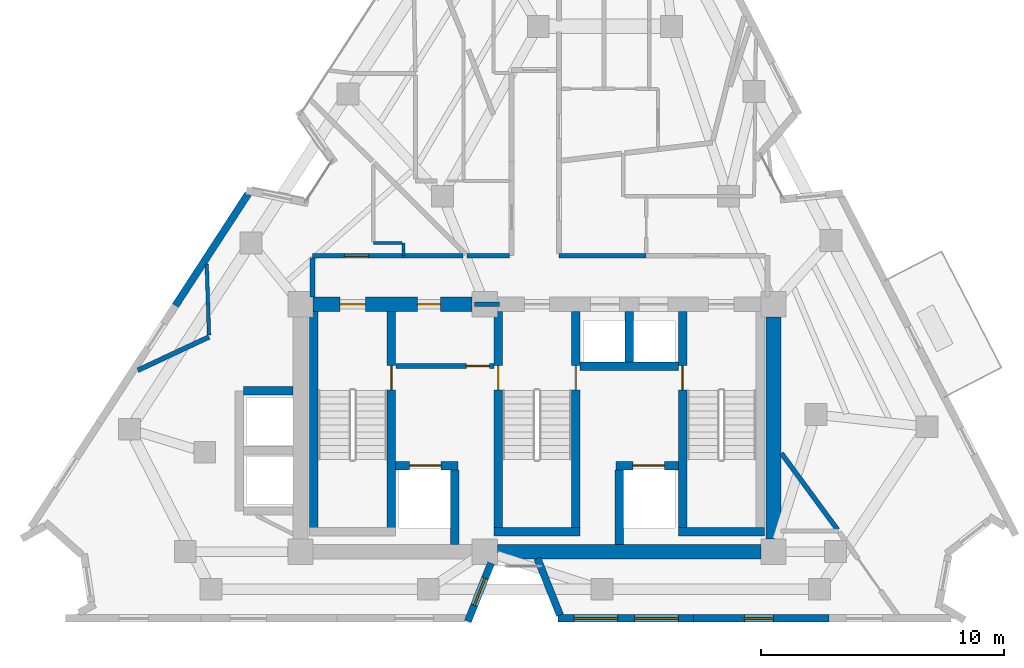
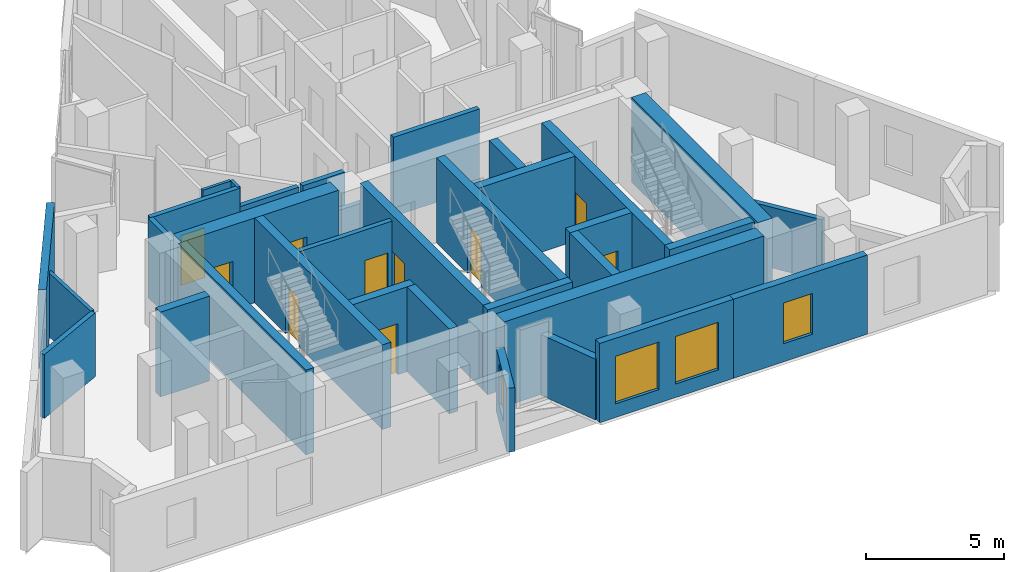
# One storey, part 5 of 10: 34 walls, 10 doors, 4 windows, 14 openings.
"""IFC4 building model written with IfcOpenShell, lengths in metres."""

from ifc_helpers import new_model, si_unit, direction, frame, frame_2d, origin, place, context, subcontext, project, spatial, rectangle, extrude, material, layer, layer_set, type_object, element, fill, save


model = new_model("IFC4")

# Units and contexts
model_context = context("Model", 3, precision=1e-05, world=origin(), true_north=direction((0.0, 1.0)))
body_context = subcontext(model_context, "Body", "Model", "MODEL_VIEW")
ifc_project = project(units=[si_unit("LENGTHUNIT", "METRE"), si_unit("AREAUNIT", "SQUARE_METRE"), si_unit("VOLUMEUNIT", "CUBIC_METRE"), si_unit("PLANEANGLEUNIT", "RADIAN"), si_unit("MASSUNIT", "GRAM", prefix="KILO")], contexts=[model_context])

# Site, building, storey
site_placement = place(None, origin())
site = spatial("IfcSite", under=ifc_project, at=site_placement, CompositionType="ELEMENT")
building_placement = place(site_placement, origin())
building = spatial("IfcBuilding", under=site, at=building_placement, Name="Almagre Mirador Tower", CompositionType="ELEMENT")
storey_placement = place(building_placement, frame((0.0, 0.0, 222.0)))
storey = spatial("IfcBuildingStorey", under=building, at=storey_placement, Name="L57", CompositionType="ELEMENT", Elevation=222.0)

# Wall, opening, window
ifc_material_1 = material(Name="Precast concrete C50/60", Category="concrete")
ifc_layer_1 = layer(ifc_material_1, 0.300048828125)
ifc_layer_set_1 = layer_set([ifc_layer_1], Name="Precast concrete C50/60")
wall_type_1 = type_object("IfcWallType", Name="WAL-EXT-300", PredefinedType="SOLIDWALL", material=ifc_layer_set_1)
wall_1_placement = place(storey_placement, frame((49.3466796875, 1.800048828125, 0.0), z_axis=(0.0, 0.0, 1.0), x_axis=(-1.0, 0.0, 0.0)))
wall_1 = element("IfcWall", 1, at=wall_1_placement, inside=storey, type_object=wall_type_1, Name="L57 expressed almagre precast frame wall 20", PredefinedType="SOLIDWALL", context=body_context, shape_type="SweptSolid", body=[
    extrude(rectangle(XDim=5.59326171875, YDim=0.300048828125, at=frame_2d((2.796630859375, 0.0))), origin(), (0.0, 0.0, 1.0), 3.5),
])
opening_1_placement = place(wall_1_placement, frame((2.300048828125, 0.0, 0.800048828125)))
opening_1 = element("IfcOpeningElement", 2, at=opening_1_placement, cuts=wall_1, Name="Opening WN-04", PredefinedType="OPENING", context=body_context, shape_type="SweptSolid", body=[
    extrude(rectangle(XDim=1.199951171875, YDim=1.800048828125, at=frame_2d((0.60009765625, 0.89990234375))), frame((0.0, 0.159902, 0.0), z_axis=(0.0, -1.0, 0.0), x_axis=(1.0, 0.0, 0.0)), (0.0, 0.0, 1.0), 0.320049),
])
ifc_material_2 = material(Name="Dark solar-control laminated hurricane glass", Category="glass")
window_type_1 = type_object("IfcWindowType", Name="WIN-1200X1800", PartitioningType="SINGLE_PANEL", PredefinedType="WINDOW", material=ifc_material_2)
window_1_placement = place(opening_1_placement, origin())
window_1 = element("IfcWindow", 3, at=window_1_placement, inside=storey, type_object=window_type_1, Name="L57 recessed hurricane window L57-UB-ST", OverallHeight=1.800048828125, OverallWidth=1.199951171875, PartitioningType="SINGLE_PANEL", PredefinedType="WINDOW", context=body_context, shape_type="SweptSolid", body=[
    extrude(rectangle(XDim=1.199951171875, YDim=1.800048828125, at=frame_2d((0.60009765625, 0.89990234375))), frame((0.0, 0.030029296875, 0.0), z_axis=(0.0, -1.0, 0.0), x_axis=(1.0, 0.0, 0.0)), (0.0, 0.0, 1.0), 0.06005859375),
])
fill(opening_1, window_1)

# Wall, openings, windows
wall_2_placement = place(storey_placement, frame((43.75341796875, 1.800048828125, 0.0), z_axis=(0.0, 0.0, 1.0), x_axis=(-1.0, 0.0, 0.0)))
wall_2 = element("IfcWall", 4, at=wall_2_placement, inside=storey, type_object=wall_type_1, Name="L57 expressed almagre precast frame wall 21", PredefinedType="SOLIDWALL", context=body_context, shape_type="SweptSolid", body=[
    extrude(rectangle(XDim=5.593505859375, YDim=0.300048828125, at=frame_2d((2.796875, 0.0))), origin(), (0.0, 0.0, 1.0), 3.5),
])
opening_2_placement = place(wall_2_placement, frame((0.625, 0.0, 0.60009765625)))
opening_2 = element("IfcOpeningElement", 5, at=opening_2_placement, cuts=wall_2, Name="Opening WN-01", PredefinedType="OPENING", context=body_context, shape_type="SweptSolid", body=[
    extrude(rectangle(XDim=1.800048828125, YDim=2.10009765625, at=frame_2d((0.89990234375, 1.050048828125))), frame((0.0, 0.159902, 0.0), z_axis=(0.0, -1.0, 0.0), x_axis=(1.0, 0.0, 0.0)), (0.0, 0.0, 1.0), 0.320049),
])
opening_3_placement = place(wall_2_placement, frame((3.125, 0.0, 0.60009765625)))
opening_3 = element("IfcOpeningElement", 6, at=opening_3_placement, cuts=wall_2, Name="Opening WN-01", PredefinedType="OPENING", context=body_context, shape_type="SweptSolid", body=[
    extrude(rectangle(XDim=1.800048828125, YDim=2.10009765625, at=frame_2d((0.89990234375, 1.050048828125))), frame((0.0, 0.159902, 0.0), z_axis=(0.0, -1.0, 0.0), x_axis=(1.0, 0.0, 0.0)), (0.0, 0.0, 1.0), 0.320049),
])
ifc_material_3 = material(Name="Dark solar-control laminated hurricane glass", Category="glass")
window_type_2 = type_object("IfcWindowType", Name="WIN-1800X2100", PartitioningType="DOUBLE_PANEL_VERTICAL", PredefinedType="WINDOW", material=ifc_material_3)
window_2_placement = place(opening_2_placement, origin())
window_2 = element("IfcWindow", 7, at=window_2_placement, inside=storey, type_object=window_type_2, Name="L57 recessed hurricane window L57-UB-ST", OverallHeight=2.10009765625, OverallWidth=1.800048828125, PartitioningType="SINGLE_PANEL", PredefinedType="WINDOW", context=body_context, shape_type="SweptSolid", body=[
    extrude(rectangle(XDim=1.800048828125, YDim=2.10009765625, at=frame_2d((0.89990234375, 1.050048828125))), frame((0.0, 0.030029296875, 0.0), z_axis=(0.0, -1.0, 0.0), x_axis=(1.0, 0.0, 0.0)), (0.0, 0.0, 1.0), 0.06005859375),
])
fill(opening_2, window_2)
window_3_placement = place(opening_3_placement, origin())
window_3 = element("IfcWindow", 8, at=window_3_placement, inside=storey, type_object=window_type_2, Name="L57 recessed hurricane window L57-UB-KT", OverallHeight=2.10009765625, OverallWidth=1.800048828125, PartitioningType="SINGLE_PANEL", PredefinedType="WINDOW", context=body_context, shape_type="SweptSolid", body=[
    extrude(rectangle(XDim=1.800048828125, YDim=2.10009765625, at=frame_2d((0.89990234375, 1.050048828125))), frame((0.0, 0.030029296875, 0.0), z_axis=(0.0, -1.0, 0.0), x_axis=(1.0, 0.0, 0.0)), (0.0, 0.0, 1.0), 0.06005859375),
])
fill(opening_3, window_3)

# Wall
wall_3_placement = place(storey_placement, frame((38.248291015625, 1.93017578125, 0.0), z_axis=(0.0, 0.0, 1.0), x_axis=(-0.36953712681, 0.929215966236, 0.0)))
element("IfcWall", 9, at=wall_3_placement, inside=storey, type_object=wall_type_1, Name="L57 expressed almagre precast frame wall 22", PredefinedType="SOLIDWALL", context=body_context, shape_type="SweptSolid", body=[
    extrude(rectangle(XDim=2.521728515625, YDim=0.300048828125, at=frame_2d((1.2607421875, 0.0))), origin(), (0.0, 0.0, 1.0), 2.68994140625),
])

# Wall, opening, window
wall_4_placement = place(storey_placement, frame((35.40673828125, 4.080078125, 0.0), z_axis=(0.0, 0.0, 1.0), x_axis=(-0.369539870332, -0.929214875169, 0.0)))
wall_4 = element("IfcWall", 10, at=wall_4_placement, inside=storey, type_object=wall_type_1, Name="L57 expressed almagre precast frame wall 23", PredefinedType="SOLIDWALL", context=body_context, shape_type="SweptSolid", body=[
    extrude(rectangle(XDim=2.59375, YDim=0.300048828125, at=frame_2d((1.296875, 0.0))), origin(), (0.0, 0.0, 1.0), 2.824951171875),
])
opening_4_placement = place(wall_4_placement, frame((0.675048828125, 0.0, 0.800048828125)))
opening_4 = element("IfcOpeningElement", 11, at=opening_4_placement, cuts=wall_4, Name="Opening WN-04", PredefinedType="OPENING", context=body_context, shape_type="SweptSolid", body=[
    extrude(rectangle(XDim=1.199951171875, YDim=1.800048828125, at=frame_2d((0.60009765625, 0.89990234375))), frame((0.0, 0.159902, 0.0), z_axis=(0.0, -1.0, 0.0), x_axis=(1.0, 0.0, 0.0)), (0.0, 0.0, 1.0), 0.320049),
])
window_4_placement = place(opening_4_placement, origin())
window_4 = element("IfcWindow", 12, at=window_4_placement, inside=storey, type_object=window_type_1, Name="L57 recessed hurricane window L57-UB-KT", OverallHeight=1.800048828125, OverallWidth=1.199951171875, PartitioningType="SINGLE_PANEL", PredefinedType="WINDOW", context=body_context, shape_type="SweptSolid", body=[
    extrude(rectangle(XDim=1.199951171875, YDim=1.800048828125, at=frame_2d((0.60009765625, 0.89990234375))), frame((0.0, 0.030029296875, 0.0), z_axis=(0.0, -1.0, 0.0), x_axis=(1.0, 0.0, 0.0)), (0.0, 0.0, 1.0), 0.06005859375),
])
fill(opening_4, window_4)

# Walls
wall_5_placement = place(storey_placement, frame((22.394775390625, 14.695068359375, 0.0), z_axis=(0.0, 0.0, 1.0), x_axis=(0.545593263522, 0.838050112344, 0.0)))
element("IfcWall", 13, at=wall_5_placement, inside=storey, type_object=wall_type_1, Name="L57 expressed almagre precast frame wall 33", PredefinedType="SOLIDWALL", context=body_context, shape_type="SweptSolid", body=[
    extrude(rectangle(XDim=5.48876953125, YDim=0.300048828125, at=frame_2d((2.744384765625, 0.0))), origin(), (0.0, 0.0, 1.0), 3.5),
])
ifc_material_4 = material(Name="Gypsum acoustic stud partition", Category="other")
ifc_layer_2 = layer(ifc_material_4, 0.125)
ifc_layer_set_2 = layer_set([ifc_layer_2], Name="Gypsum acoustic stud partition")
wall_type_2 = type_object("IfcWallType", Name="WAL-PRT-125-UTL", PredefinedType="PARTITIONING", material=ifc_layer_set_2)
wall_6_placement = place(storey_placement, frame((31.7900390625, 16.75, 0.0), z_axis=(0.0, 0.0, 1.0), x_axis=(0.0, 1.0, 0.0)))
element("IfcWall", 14, at=wall_6_placement, inside=storey, type_object=wall_type_2, Name="L57 interior partition 028", PredefinedType="PARTITIONING", context=body_context, shape_type="SweptSolid", body=[
    extrude(rectangle(XDim=0.52001953125, YDim=0.125, at=frame_2d((0.260009765625, 0.0))), origin(), (0.0, 0.0, 1.0), 3.5),
])
wall_7_placement = place(storey_placement, frame((31.742431640625, 17.27001953125, 0.0), z_axis=(0.0, 0.0, 1.0), x_axis=(-1.0, 0.0, 0.0)))
element("IfcWall", 15, at=wall_7_placement, inside=storey, type_object=wall_type_2, Name="L57 interior partition 029", PredefinedType="PARTITIONING", context=body_context, shape_type="SweptSolid", body=[
    extrude(rectangle(XDim=1.1923828125, YDim=0.125, at=frame_2d((0.59619140625, 0.0))), origin(), (0.0, 0.0, 1.0), 3.5),
])
ifc_material_5 = material(Name="Gypsum acoustic stud partition", Category="other")
ifc_layer_3 = layer(ifc_material_5, 0.14990234375)
ifc_layer_set_3 = layer_set([ifc_layer_3], Name="Gypsum acoustic stud partition")
wall_type_3 = type_object("IfcWallType", Name="WAL-PRT-150-STD", PredefinedType="PARTITIONING", material=ifc_layer_set_3)
wall_8_placement = place(storey_placement, frame((23.68408203125, 16.4130859375, 0.0), z_axis=(0.0, 0.0, 1.0), x_axis=(0.032085531045, -0.999485126802, 0.0)))
element("IfcWall", 16, at=wall_8_placement, inside=storey, type_object=wall_type_3, Name="L57 interior partition 031", PredefinedType="PARTITIONING", context=body_context, shape_type="SweptSolid", body=[
    extrude(rectangle(XDim=2.929443359375, YDim=0.14990234375, at=frame_2d((1.46484375, 0.0))), origin(), (0.0, 0.0, 1.0), 2.820068359375),
])
ifc_material_6 = material(Name="Gypsum acoustic stud partition", Category="other")
ifc_layer_4 = layer(ifc_material_6, 0.199951171875)
ifc_layer_set_4 = layer_set([ifc_layer_4], Name="Gypsum acoustic stud partition")
wall_type_4 = type_object("IfcWallType", Name="WAL-PRT-200-EI60", PredefinedType="PARTITIONING", material=ifc_layer_set_4)
wall_9_placement = place(storey_placement, frame((34.719970703125, 14.75, 0.0), z_axis=(0.0, 0.0, 1.0), x_axis=(1.0, 0.0, 0.0)))
element("IfcWall", 17, at=wall_9_placement, inside=storey, type_object=wall_type_4, Name="L57 core north closure wall", PredefinedType="PARTITIONING", context=body_context, shape_type="SweptSolid", body=[
    extrude(rectangle(XDim=1.030029296875, YDim=0.199951171875, at=frame_2d((0.51513671875, 0.0))), origin(), (0.0, 0.0, 1.0), 2.68505859375),
])

# Wall, opening, door
wall_10_placement = place(storey_placement, frame((31.47998046875, 12.199951171875, 0.0), z_axis=(0.0, 0.0, 1.0), x_axis=(1.0, 0.0, 0.0)))
wall_10 = element("IfcWall", 18, at=wall_10_placement, inside=storey, type_object=wall_type_4, Name="L57 FFL-1 north enclosure wall", PredefinedType="PARTITIONING", context=body_context, shape_type="SweptSolid", body=[
    extrude(rectangle(XDim=4.0400390625, YDim=0.199951171875, at=frame_2d((2.02001953125, 0.0))), origin(), (0.0, 0.0, 1.0), 3.5),
])
opening_5_placement = place(wall_10_placement, frame((2.905029296875, 0.0, 0.0)))
opening_5 = element("IfcOpeningElement", 19, at=opening_5_placement, cuts=wall_10, Name="Opening ID-02", PredefinedType="OPENING", context=body_context, shape_type="SweptSolid", body=[
    extrude(rectangle(XDim=0.949951171875, YDim=2.14990234375, at=frame_2d((0.47509765625, 1.074951171875))), frame((0.0, 0.110098, 0.0), z_axis=(0.0, -1.0, 0.0), x_axis=(1.0, 0.0, 0.0)), (0.0, 0.0, 1.0), 0.219951),
])
ifc_material_7 = material(Name="Fire-rated walnut timber", Category="wood")
door_type_1 = type_object("IfcDoorType", Name="DOR-FD60-950X2150", OperationType="NOTDEFINED", PredefinedType="DOOR", material=ifc_material_7)
door_1_placement = place(opening_5_placement, origin())
door_1 = element("IfcDoor", 20, at=door_1_placement, inside=storey, type_object=door_type_1, Name="DR-1754 L57 FFL-1 north smoke door", OperationType="SINGLE_SWING_RIGHT", OverallHeight=2.14990234375, OverallWidth=0.949951171875, PredefinedType="DOOR", context=body_context, shape_type="SweptSolid", body=[
    extrude(rectangle(XDim=0.949951171875, YDim=2.14990234375, at=frame_2d((0.47509765625, 1.074951171875))), frame((0.0, 0.02490234375, 0.0), z_axis=(0.0, -1.0, 0.0), x_axis=(1.0, 0.0, 0.0)), (0.0, 0.0, 1.0), 0.050048828125),
])
fill(opening_5, door_1)

wall_11_placement = place(storey_placement, frame((31.7900390625, 16.75, 0.0), z_axis=(0.0, 0.0, 1.0), x_axis=(-1.0, 0.0, 0.0)))
wall_11 = element("IfcWall", 21, at=wall_11_placement, inside=storey, type_object=wall_type_4, Name="L57 interior partition 001", PredefinedType="PARTITIONING", context=body_context, shape_type="SweptSolid", body=[
    extrude(rectangle(XDim=3.739990234375, YDim=0.199951171875, at=frame_2d((1.8701171875, 0.0))), origin(), (0.0, 0.0, 1.0), 3.5),
])
opening_6_placement = place(wall_11_placement, frame((1.4287109375, 0.0, 0.0)))
opening_6 = element("IfcOpeningElement", 22, at=opening_6_placement, cuts=wall_11, Name="Opening ID-01", PredefinedType="OPENING", context=body_context, shape_type="SweptSolid", body=[
    extrude(rectangle(XDim=1.0, YDim=2.199951171875, at=frame_2d((0.5, 1.10009765625))), frame((0.0, 0.110098, 0.0), z_axis=(0.0, -1.0, 0.0), x_axis=(1.0, 0.0, 0.0)), (0.0, 0.0, 1.0), 0.219951),
])
ifc_material_8 = material(Name="Fire-rated walnut timber", Category="wood")
door_type_2 = type_object("IfcDoorType", Name="DOR-FD60-1000X2200", OperationType="NOTDEFINED", PredefinedType="DOOR", material=ifc_material_8)
door_2_placement = place(opening_6_placement, origin())
door_2 = element("IfcDoor", 23, at=door_2_placement, inside=storey, type_object=door_type_2, Name="DR-1759 L57 interior door L57-RCOR to L57-UE-ST", OperationType="SINGLE_SWING_LEFT", OverallHeight=2.199951171875, OverallWidth=1.0, PredefinedType="DOOR", context=body_context, shape_type="SweptSolid", body=[
    extrude(rectangle(XDim=1.0, YDim=2.199951171875, at=frame_2d((0.5, 1.10009765625))), frame((0.0, 0.02490234375, 0.0), z_axis=(0.0, -1.0, 0.0), x_axis=(1.0, 0.0, 0.0)), (0.0, 0.0, 1.0), 0.050048828125),
])
fill(opening_6, door_2)

# Walls
wall_12_placement = place(storey_placement, frame((28.050048828125, 16.6650390625, 0.0), z_axis=(0.0, 0.0, 1.0), x_axis=(0.0, -1.0, 0.0)))
element("IfcWall", 24, at=wall_12_placement, inside=storey, type_object=wall_type_4, Name="L57 interior partition 002", PredefinedType="PARTITIONING", context=body_context, shape_type="SweptSolid", body=[
    extrude(rectangle(XDim=1.614990234375, YDim=0.199951171875, at=frame_2d((0.8076171875, 0.0))), origin(), (0.0, 0.0, 1.0), 3.5),
])
wall_13_placement = place(storey_placement, frame((34.25, 16.75, 0.0), z_axis=(0.0, 0.0, 1.0), x_axis=(-1.0, 0.0, 0.0)))
element("IfcWall", 25, at=wall_13_placement, inside=storey, type_object=wall_type_4, Name="L57 interior partition 003", PredefinedType="PARTITIONING", context=body_context, shape_type="SweptSolid", body=[
    extrude(rectangle(XDim=2.4599609375, YDim=0.199951171875, at=frame_2d((1.22998046875, 0.0))), origin(), (0.0, 0.0, 1.0), 2.68505859375),
])
wall_14_placement = place(storey_placement, frame((41.800048828125, 16.75, 0.0), z_axis=(0.0, 0.0, 1.0), x_axis=(-1.0, 0.0, 0.0)))
element("IfcWall", 26, at=wall_14_placement, inside=storey, type_object=wall_type_4, Name="L57 interior partition 006", PredefinedType="PARTITIONING", context=body_context, shape_type="SweptSolid", body=[
    extrude(rectangle(XDim=3.60009765625, YDim=0.199951171875, at=frame_2d((1.800048828125, 0.0))), origin(), (0.0, 0.0, 1.0), 3.5),
])
wall_15_placement = place(storey_placement, frame((36.1650390625, 16.75, 0.0), z_axis=(0.0, 0.0, 1.0), x_axis=(-1.0, 0.0, 0.0)))
element("IfcWall", 27, at=wall_15_placement, inside=storey, type_object=wall_type_4, Name="L57 interior partition 009", PredefinedType="PARTITIONING", context=body_context, shape_type="SweptSolid", body=[
    extrude(rectangle(XDim=1.755126953125, YDim=0.199951171875, at=frame_2d((0.87744140625, 0.0))), origin(), (0.0, 0.0, 1.0), 2.68505859375),
])
wall_16_placement = place(storey_placement, frame((49.694580078125, 5.448486328125, 0.0), z_axis=(0.0, 0.0, 1.0), x_axis=(-0.592028496227, 0.805917030255, 0.0)))
element("IfcWall", 28, at=wall_16_placement, inside=storey, type_object=wall_type_4, Name="L57 interior partition 024", PredefinedType="PARTITIONING", context=body_context, shape_type="SweptSolid", body=[
    extrude(rectangle(XDim=3.9150390625, YDim=0.199951171875, at=frame_2d((1.95751953125, 0.0))), origin(), (0.0, 0.0, 1.0), 2.68505859375),
])
wall_17_placement = place(storey_placement, frame((23.780029296875, 13.39990234375, 0.0), z_axis=(0.0, 0.0, 1.0), x_axis=(-0.905663163948, -0.423997916821, 0.0)))
element("IfcWall", 29, at=wall_17_placement, inside=storey, type_object=wall_type_4, Name="L57 interior partition 027", PredefinedType="PARTITIONING", context=body_context, shape_type="SweptSolid", body=[
    extrude(rectangle(XDim=3.242919921875, YDim=0.199951171875, at=frame_2d((1.62158203125, 0.0))), origin(), (0.0, 0.0, 1.0), 2.820068359375),
])
ifc_material_9 = material(Name="Concrete C60/75", Category="concrete")
ifc_layer_5 = layer(ifc_material_9, 0.35009765625)
ifc_layer_set_5 = layer_set([ifc_layer_5], Name="Concrete C60/75")
wall_type_5 = type_object("IfcWallType", Name="WAL-SHF-350", PredefinedType="SOLIDWALL", material=ifc_layer_set_5)
wall_18_placement = place(storey_placement, frame((28.10009765625, 5.199951171875, 0.0), z_axis=(0.0, 0.0, 1.0), x_axis=(0.0, 1.0, 0.0)))
element("IfcWall", 30, at=wall_18_placement, inside=storey, type_object=wall_type_5, Name="L57 shaft wall ST1-W", PredefinedType="SOLIDWALL", context=body_context, shape_type="SweptSolid", body=[
    extrude(rectangle(XDim=9.25, YDim=0.35009765625, at=frame_2d((4.625, 0.0))), origin(), (0.0, 0.0, 1.0), 3.75),
])

# Wall, opening, door
wall_19_placement = place(storey_placement, frame((31.300048828125, 5.199951171875, 0.0), z_axis=(0.0, 0.0, 1.0), x_axis=(0.0, 1.0, 0.0)))
wall_19 = element("IfcWall", 31, at=wall_19_placement, inside=storey, type_object=wall_type_5, Name="L57 shaft wall ST1-E", PredefinedType="SOLIDWALL", context=body_context, shape_type="SweptSolid", body=[
    extrude(rectangle(XDim=9.25, YDim=0.35009765625, at=frame_2d((4.625, 0.0))), origin(), (0.0, 0.0, 1.0), 3.75),
])
opening_7_placement = place(wall_19_placement, frame((6.02001953125, 0.0, 0.0)))
opening_7 = element("IfcOpeningElement", 32, at=opening_7_placement, cuts=wall_19, Name="Opening FD-01", PredefinedType="OPENING", context=body_context, shape_type="SweptSolid", body=[
    extrude(rectangle(XDim=1.0, YDim=2.14990234375, at=frame_2d((0.5, 1.074951171875))), frame((0.0, 0.185049, 0.0), z_axis=(0.0, -1.0, 0.0), x_axis=(1.0, 0.0, 0.0)), (0.0, 0.0, 1.0), 0.370098),
])
ifc_material_10 = material(Name="Fire-rated hollow steel", Category="steel")
door_type_3 = type_object("IfcDoorType", Name="DOR-FFL-1000X2150", OperationType="NOTDEFINED", PredefinedType="DOOR", material=ifc_material_10)
door_3_placement = place(opening_7_placement, origin())
door_3 = element("IfcDoor", 33, at=door_3_placement, inside=storey, type_object=door_type_3, Name="DR-1755 L57 FFL1-ST1 smokeproof door", OperationType="SINGLE_SWING_RIGHT", OverallHeight=2.14990234375, OverallWidth=1.0, PredefinedType="DOOR", context=body_context, shape_type="SweptSolid", body=[
    extrude(rectangle(XDim=1.0, YDim=2.14990234375, at=frame_2d((0.5, 1.074951171875))), frame((0.0, 0.02490234375, 0.0), z_axis=(0.0, -1.0, 0.0), x_axis=(1.0, 0.0, 0.0)), (0.0, 0.0, 1.0), 0.050048828125),
])
fill(opening_7, door_3)

wall_20_placement = place(storey_placement, frame((35.699951171875, 5.199951171875, 0.0), z_axis=(0.0, 0.0, 1.0), x_axis=(0.0, 1.0, 0.0)))
wall_20 = element("IfcWall", 34, at=wall_20_placement, inside=storey, type_object=wall_type_5, Name="L57 shaft wall ST2-W", PredefinedType="SOLIDWALL", context=body_context, shape_type="SweptSolid", body=[
    extrude(rectangle(XDim=9.25, YDim=0.35009765625, at=frame_2d((4.625, 0.0))), origin(), (0.0, 0.0, 1.0), 3.75),
])
opening_8_placement = place(wall_20_placement, frame((6.02001953125, 0.0, 0.0)))
opening_8 = element("IfcOpeningElement", 35, at=opening_8_placement, cuts=wall_20, Name="Opening FD-01", PredefinedType="OPENING", context=body_context, shape_type="SweptSolid", body=[
    extrude(rectangle(XDim=1.0, YDim=2.14990234375, at=frame_2d((0.5, 1.074951171875))), frame((0.0, 0.185049, 0.0), z_axis=(0.0, -1.0, 0.0), x_axis=(1.0, 0.0, 0.0)), (0.0, 0.0, 1.0), 0.370098),
])
door_4_placement = place(opening_8_placement, origin())
door_4 = element("IfcDoor", 36, at=door_4_placement, inside=storey, type_object=door_type_3, Name="DR-1756 L57 FFL1-ST2 smokeproof door", OperationType="SINGLE_SWING_LEFT", OverallHeight=2.14990234375, OverallWidth=1.0, PredefinedType="DOOR", context=body_context, shape_type="SweptSolid", body=[
    extrude(rectangle(XDim=1.0, YDim=2.14990234375, at=frame_2d((0.5, 1.074951171875))), frame((0.0, 0.02490234375, 0.0), z_axis=(0.0, -1.0, 0.0), x_axis=(1.0, 0.0, 0.0)), (0.0, 0.0, 1.0), 0.050048828125),
])
fill(opening_8, door_4)

wall_21_placement = place(storey_placement, frame((38.89990234375, 5.199951171875, 0.0), z_axis=(0.0, 0.0, 1.0), x_axis=(0.0, 1.0, 0.0)))
wall_21 = element("IfcWall", 37, at=wall_21_placement, inside=storey, type_object=wall_type_5, Name="L57 shaft wall ST2-E", PredefinedType="SOLIDWALL", context=body_context, shape_type="SweptSolid", body=[
    extrude(rectangle(XDim=9.25, YDim=0.35009765625, at=frame_2d((4.625, 0.0))), origin(), (0.0, 0.0, 1.0), 3.75),
])
opening_9_placement = place(wall_21_placement, frame((6.02001953125, 0.0, 0.0)))
opening_9 = element("IfcOpeningElement", 38, at=opening_9_placement, cuts=wall_21, Name="Opening FD-01", PredefinedType="OPENING", context=body_context, shape_type="SweptSolid", body=[
    extrude(rectangle(XDim=1.0, YDim=2.14990234375, at=frame_2d((0.5, 1.074951171875))), frame((0.0, 0.185049, 0.0), z_axis=(0.0, -1.0, 0.0), x_axis=(1.0, 0.0, 0.0)), (0.0, 0.0, 1.0), 0.370098),
])
door_5_placement = place(opening_9_placement, origin())
door_5 = element("IfcDoor", 39, at=door_5_placement, inside=storey, type_object=door_type_3, Name="DR-1757 L57 FFL2-ST2 smokeproof door", OperationType="SINGLE_SWING_RIGHT", OverallHeight=2.14990234375, OverallWidth=1.0, PredefinedType="DOOR", context=body_context, shape_type="SweptSolid", body=[
    extrude(rectangle(XDim=1.0, YDim=2.14990234375, at=frame_2d((0.5, 1.074951171875))), frame((0.0, 0.02490234375, 0.0), z_axis=(0.0, -1.0, 0.0), x_axis=(1.0, 0.0, 0.0)), (0.0, 0.0, 1.0), 0.050048828125),
])
fill(opening_9, door_5)

# Wall
wall_22_placement = place(storey_placement, frame((35.52490234375, 5.375, 0.0), z_axis=(0.0, 0.0, 1.0), x_axis=(1.0, 0.0, 0.0)))
element("IfcWall", 40, at=wall_22_placement, inside=storey, type_object=wall_type_5, Name="L57 shaft wall ST2-S", PredefinedType="SOLIDWALL", context=body_context, shape_type="SweptSolid", body=[
    extrude(rectangle(XDim=3.550048828125, YDim=0.35009765625, at=frame_2d((1.77490234375, 0.0))), origin(), (0.0, 0.0, 1.0), 3.75),
])

# Wall, opening, door
wall_23_placement = place(storey_placement, frame((43.300048828125, 5.199951171875, 0.0), z_axis=(0.0, 0.0, 1.0), x_axis=(0.0, 1.0, 0.0)))
wall_23 = element("IfcWall", 41, at=wall_23_placement, inside=storey, type_object=wall_type_5, Name="L57 shaft wall ST3-W", PredefinedType="SOLIDWALL", context=body_context, shape_type="SweptSolid", body=[
    extrude(rectangle(XDim=9.25, YDim=0.35009765625, at=frame_2d((4.625, 0.0))), origin(), (0.0, 0.0, 1.0), 3.75),
])
opening_10_placement = place(wall_23_placement, frame((6.02001953125, 0.0, 0.0)))
opening_10 = element("IfcOpeningElement", 42, at=opening_10_placement, cuts=wall_23, Name="Opening FD-01", PredefinedType="OPENING", context=body_context, shape_type="SweptSolid", body=[
    extrude(rectangle(XDim=1.0, YDim=2.14990234375, at=frame_2d((0.5, 1.074951171875))), frame((0.0, 0.185049, 0.0), z_axis=(0.0, -1.0, 0.0), x_axis=(1.0, 0.0, 0.0)), (0.0, 0.0, 1.0), 0.370098),
])
door_6_placement = place(opening_10_placement, origin())
door_6 = element("IfcDoor", 43, at=door_6_placement, inside=storey, type_object=door_type_3, Name="DR-1758 L57 FFL2-ST3 smokeproof door", OperationType="SINGLE_SWING_LEFT", OverallHeight=2.14990234375, OverallWidth=1.0, PredefinedType="DOOR", context=body_context, shape_type="SweptSolid", body=[
    extrude(rectangle(XDim=1.0, YDim=2.14990234375, at=frame_2d((0.5, 1.074951171875))), frame((0.0, 0.02490234375, 0.0), z_axis=(0.0, -1.0, 0.0), x_axis=(1.0, 0.0, 0.0)), (0.0, 0.0, 1.0), 0.050048828125),
])
fill(opening_10, door_6)

# Wall
wall_24_placement = place(storey_placement, frame((43.125, 5.375, 0.0), z_axis=(0.0, 0.0, 1.0), x_axis=(1.0, 0.0, 0.0)))
element("IfcWall", 44, at=wall_24_placement, inside=storey, type_object=wall_type_5, Name="L57 shaft wall ST3-S", PredefinedType="SOLIDWALL", context=body_context, shape_type="SweptSolid", body=[
    extrude(rectangle(XDim=3.550048828125, YDim=0.35009765625, at=frame_2d((1.77490234375, 0.0))), origin(), (0.0, 0.0, 1.0), 3.75),
])

# Wall, opening, door
wall_25_placement = place(storey_placement, frame((31.47509765625, 8.10009765625, 0.0), z_axis=(0.0, 0.0, 1.0), x_axis=(1.0, 0.0, 0.0)))
wall_25 = element("IfcWall", 45, at=wall_25_placement, inside=storey, type_object=wall_type_5, Name="L57 shaft wall FSAE1-N", PredefinedType="SOLIDWALL", context=body_context, shape_type="SweptSolid", body=[
    extrude(rectangle(XDim=2.574951171875, YDim=0.35009765625, at=frame_2d((1.28759765625, 0.0))), origin(), (0.0, 0.0, 1.0), 3.75),
])
opening_11_placement = place(wall_25_placement, frame((0.574951171875, 0.0, 0.0)))
opening_11 = element("IfcOpeningElement", 46, at=opening_11_placement, cuts=wall_25, Name="Opening LD-03", PredefinedType="OPENING", context=body_context, shape_type="SweptSolid", body=[
    extrude(rectangle(XDim=1.300048828125, YDim=2.25, at=frame_2d((0.64990234375, 1.125))), frame((0.0, 0.185049, 0.0), z_axis=(0.0, -1.0, 0.0), x_axis=(1.0, 0.0, 0.0)), (0.0, 0.0, 1.0), 0.370098),
])
ifc_material_11 = material(Name="Hollow stainless steel", Category="steel")
door_type_4 = type_object("IfcDoorType", Name="DOR-LD-1300X2250", OperationType="DOUBLE_DOOR_SLIDING", PredefinedType="DOOR", material=ifc_material_11)
door_7_placement = place(opening_11_placement, origin())
door_7 = element("IfcDoor", 47, at=door_7_placement, inside=storey, type_object=door_type_4, Name="DR-1771 L57 FSAE-1 lift landing door", OperationType="DOUBLE_DOOR_SLIDING", OverallHeight=2.25, OverallWidth=1.300048828125, PredefinedType="DOOR", context=body_context, shape_type="SweptSolid", body=[
    extrude(rectangle(XDim=1.300048828125, YDim=2.25, at=frame_2d((0.64990234375, 1.125))), frame((0.0, 0.02490234375, 0.0), z_axis=(0.0, -1.0, 0.0), x_axis=(1.0, 0.0, 0.0)), (0.0, 0.0, 1.0), 0.050048828125),
])
fill(opening_11, door_7)

wall_26_placement = place(storey_placement, frame((40.550048828125, 8.10009765625, 0.0), z_axis=(0.0, 0.0, 1.0), x_axis=(1.0, 0.0, 0.0)))
wall_26 = element("IfcWall", 48, at=wall_26_placement, inside=storey, type_object=wall_type_5, Name="L57 shaft wall FSAE2-N", PredefinedType="SOLIDWALL", context=body_context, shape_type="SweptSolid", body=[
    extrude(rectangle(XDim=2.574951171875, YDim=0.35009765625, at=frame_2d((1.28759765625, 0.0))), origin(), (0.0, 0.0, 1.0), 3.75),
])
opening_12_placement = place(wall_26_placement, frame((0.699951171875, 0.0, 0.0)))
opening_12 = element("IfcOpeningElement", 49, at=opening_12_placement, cuts=wall_26, Name="Opening LD-03", PredefinedType="OPENING", context=body_context, shape_type="SweptSolid", body=[
    extrude(rectangle(XDim=1.300048828125, YDim=2.25, at=frame_2d((0.64990234375, 1.125))), frame((0.0, 0.185049, 0.0), z_axis=(0.0, -1.0, 0.0), x_axis=(1.0, 0.0, 0.0)), (0.0, 0.0, 1.0), 0.370098),
])
door_8_placement = place(opening_12_placement, origin())
door_8 = element("IfcDoor", 50, at=door_8_placement, inside=storey, type_object=door_type_4, Name="DR-1772 L57 FSAE-2 lift landing door", OperationType="DOUBLE_DOOR_SLIDING", OverallHeight=2.25, OverallWidth=1.300048828125, PredefinedType="DOOR", context=body_context, shape_type="SweptSolid", body=[
    extrude(rectangle(XDim=1.300048828125, YDim=2.25, at=frame_2d((0.64990234375, 1.125))), frame((0.0, 0.02490234375, 0.0), z_axis=(0.0, -1.0, 0.0), x_axis=(1.0, 0.0, 0.0)), (0.0, 0.0, 1.0), 0.050048828125),
])
fill(opening_12, door_8)

# Walls
for number, where, z_axis, x_axis, name in (
    (51, (33.89990234375, 4.85009765625, 0.0), (0.0, 0.0, 1.0), (0.0, 1.0, 0.0), "L57 shaft wall FSAE1-E"),
    (52, (40.699951171875, 4.85009765625, 0.0), (0.0, 0.0, 1.0), (0.0, 1.0, 0.0), "L57 shaft wall FSAE2-W"),
):
    element("IfcWall", number, at=place(storey_placement, frame(where, z_axis=z_axis, x_axis=x_axis)), inside=storey, type_object=wall_type_5, Name=name, PredefinedType="SOLIDWALL", context=body_context, shape_type="SweptSolid", body=[
        extrude(rectangle(XDim=3.074951171875, YDim=0.35009765625, at=frame_2d((1.53759765625, 0.0))), origin(), (0.0, 0.0, 1.0), 3.75),
    ])
wall_27_placement = place(storey_placement, frame((39.074951171875, 12.199951171875, 0.0), z_axis=(0.0, 0.0, 1.0), x_axis=(1.0, 0.0, 0.0)))
element("IfcWall", 53, at=wall_27_placement, inside=storey, type_object=wall_type_5, Name="L57 shaft wall PLH-S", PredefinedType="SOLIDWALL", context=body_context, shape_type="SweptSolid", body=[
    extrude(rectangle(XDim=4.050048828125, YDim=0.35009765625, at=frame_2d((2.02490234375, 0.0))), origin(), (0.0, 0.0, 1.0), 3.75),
])
wall_28_placement = place(storey_placement, frame((41.10009765625, 12.375, 0.0), z_axis=(0.0, 0.0, 1.0), x_axis=(0.0, 1.0, 0.0)))
element("IfcWall", 54, at=wall_28_placement, inside=storey, type_object=wall_type_5, Name="L57 shaft wall PLH-M", PredefinedType="SOLIDWALL", context=body_context, shape_type="SweptSolid", body=[
    extrude(rectangle(XDim=2.074951171875, YDim=0.35009765625, at=frame_2d((1.03759765625, 0.0))), origin(), (0.0, 0.0, 1.0), 3.75),
])
wall_29_placement = place(storey_placement, frame((25.199951171875, 11.175048828125, 0.0), z_axis=(0.0, 0.0, 1.0), x_axis=(1.0, 0.0, 0.0)))
element("IfcWall", 55, at=wall_29_placement, inside=storey, type_object=wall_type_5, Name="L57 shaft wall OL-N", PredefinedType="SOLIDWALL", context=body_context, shape_type="SweptSolid", body=[
    extrude(rectangle(XDim=2.050048828125, YDim=0.35009765625, at=frame_2d((1.02490234375, 0.0))), origin(), (0.0, 0.0, 1.0), 3.75),
])
ifc_material_12 = material(Name="Concrete C60/75", Category="concrete")
ifc_layer_6 = layer(ifc_material_12, 0.60009765625)
ifc_layer_set_6 = layer_set([ifc_layer_6], Name="Concrete C60/75")
wall_type_6 = type_object("IfcWallType", Name="WAL-SHR-600", PredefinedType="SHEAR", material=ifc_layer_set_6)
wall_30_placement = place(storey_placement, frame((35.675048828125, 4.550048828125, 0.0), z_axis=(0.0, 0.0, 1.0), x_axis=(1.0, 0.0, 0.0)))
element("IfcWall", 56, at=wall_30_placement, inside=storey, type_object=wall_type_6, Name="L57 core shear wall S2", PredefinedType="SHEAR", context=body_context, shape_type="SweptSolid", body=[
    extrude(rectangle(XDim=10.849853515625, YDim=0.60009765625, at=frame_2d((5.4248046875, 0.0))), origin(), (0.0, 0.0, 1.0), 3.75),
])

# Wall, openings, doors
wall_31_placement = place(storey_placement, frame((28.074951171875, 14.75, 0.0), z_axis=(0.0, 0.0, 1.0), x_axis=(1.0, 0.0, 0.0)))
wall_31 = element("IfcWall", 57, at=wall_31_placement, inside=storey, type_object=wall_type_6, Name="L57 core shear wall N1", PredefinedType="SHEAR", context=body_context, shape_type="SweptSolid", body=[
    extrude(rectangle(XDim=6.550048828125, YDim=0.60009765625, at=frame_2d((3.27490234375, 0.0))), origin(), (0.0, 0.0, 1.0), 3.75),
])
opening_13_placement = place(wall_31_placement, frame((1.10009765625, 0.0, 0.0)))
opening_13 = element("IfcOpeningElement", 58, at=opening_13_placement, cuts=wall_31, Name="Opening SD-01", PredefinedType="OPENING", context=body_context, shape_type="SweptSolid", body=[
    extrude(rectangle(XDim=1.050048828125, YDim=2.14990234375, at=frame_2d((0.52490234375, 1.074951171875))), frame((0.0, 0.310049, 0.0), z_axis=(0.0, -1.0, 0.0), x_axis=(1.0, 0.0, 0.0)), (0.0, 0.0, 1.0), 0.620098),
])
opening_14_placement = place(wall_31_placement, frame((4.2900390625, 0.0, 0.0)))
opening_14 = element("IfcOpeningElement", 59, at=opening_14_placement, cuts=wall_31, Name="Opening FD-02", PredefinedType="OPENING", context=body_context, shape_type="SweptSolid", body=[
    extrude(rectangle(XDim=0.949951171875, YDim=2.14990234375, at=frame_2d((0.47509765625, 1.074951171875))), frame((0.0, 0.310049, 0.0), z_axis=(0.0, -1.0, 0.0), x_axis=(1.0, 0.0, 0.0)), (0.0, 0.0, 1.0), 0.620098),
])
ifc_material_13 = material(Name="Fire-rated hollow steel", Category="steel")
door_type_5 = type_object("IfcDoorType", Name="DOR-FD90-950X2150", OperationType="NOTDEFINED", PredefinedType="DOOR", material=ifc_material_13)
door_9_placement = place(opening_14_placement, origin())
door_9 = element("IfcDoor", 60, at=door_9_placement, inside=storey, type_object=door_type_5, Name="DR-1753 L57 core equipment room north door", OperationType="SINGLE_SWING_LEFT", OverallHeight=2.14990234375, OverallWidth=0.949951171875, PredefinedType="DOOR", context=body_context, shape_type="SweptSolid", body=[
    extrude(rectangle(XDim=0.949951171875, YDim=2.14990234375, at=frame_2d((0.47509765625, 1.074951171875))), frame((0.0, 0.02490234375, 0.0), z_axis=(0.0, -1.0, 0.0), x_axis=(1.0, 0.0, 0.0)), (0.0, 0.0, 1.0), 0.050048828125),
])
fill(opening_14, door_9)
ifc_material_14 = material(Name="Fire-rated hollow steel", Category="steel")
door_type_6 = type_object("IfcDoorType", Name="DOR-ST-1050X2150", OperationType="NOTDEFINED", PredefinedType="DOOR", material=ifc_material_14)
door_10_placement = place(opening_13_placement, origin())
door_10 = element("IfcDoor", 61, at=door_10_placement, inside=storey, type_object=door_type_6, Name="DR-1775 L57 protected exit stair ST-1 door", OperationType="SINGLE_SWING_LEFT", OverallHeight=2.14990234375, OverallWidth=1.050048828125, PredefinedType="DOOR", context=body_context, shape_type="SweptSolid", body=[
    extrude(rectangle(XDim=1.050048828125, YDim=2.14990234375, at=frame_2d((0.52490234375, 1.074951171875))), frame((0.0, 0.02490234375, 0.0), z_axis=(0.0, -1.0, 0.0), x_axis=(1.0, 0.0, 0.0)), (0.0, 0.0, 1.0), 0.050048828125),
])
fill(opening_13, door_10)

# Wall
wall_32_placement = place(storey_placement, frame((47.050048828125, 5.074951171875, 0.0), z_axis=(0.0, 0.0, 1.0), x_axis=(0.0, 1.0, 0.0)))
element("IfcWall", 62, at=wall_32_placement, inside=storey, type_object=wall_type_6, Name="L57 core shear wall E1", PredefinedType="SHEAR", context=body_context, shape_type="SweptSolid", body=[
    extrude(rectangle(XDim=9.150146484375, YDim=0.60009765625, at=frame_2d((4.5751953125, 0.0))), origin(), (0.0, 0.0, 1.0), 3.75),
])

save(model, "model.ifc")
